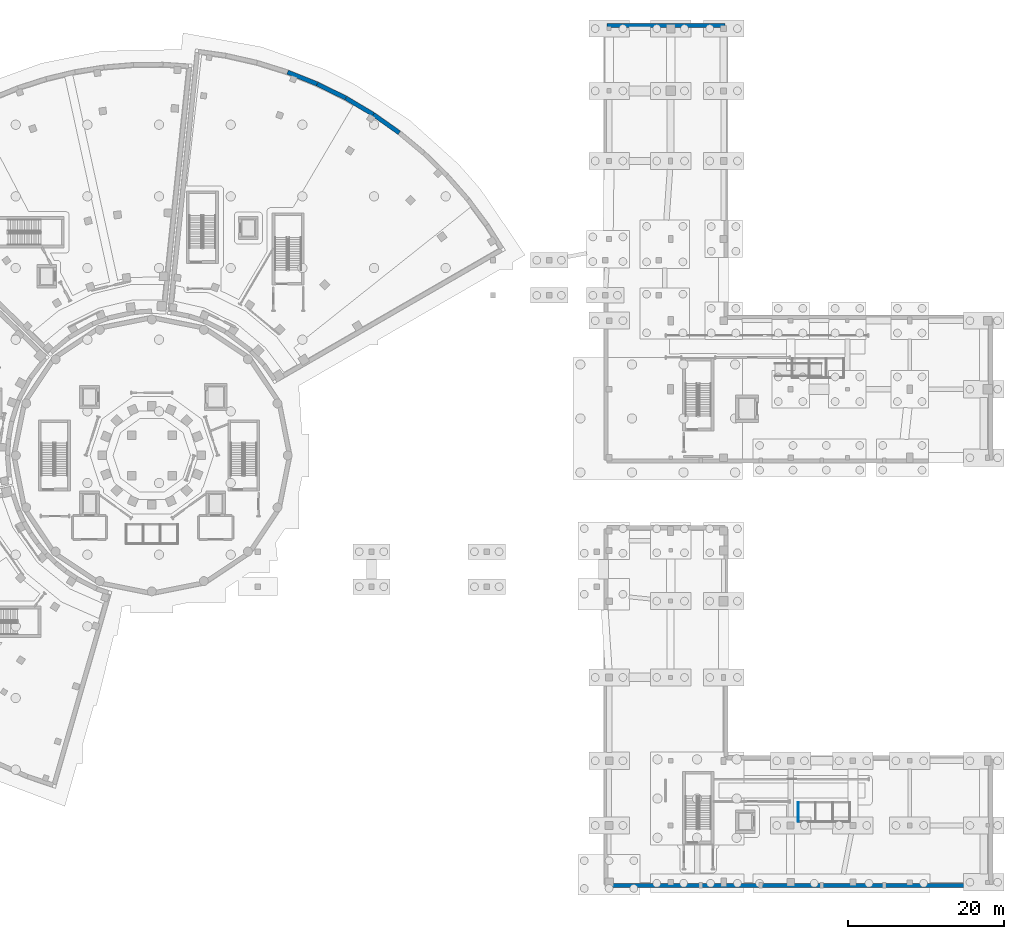
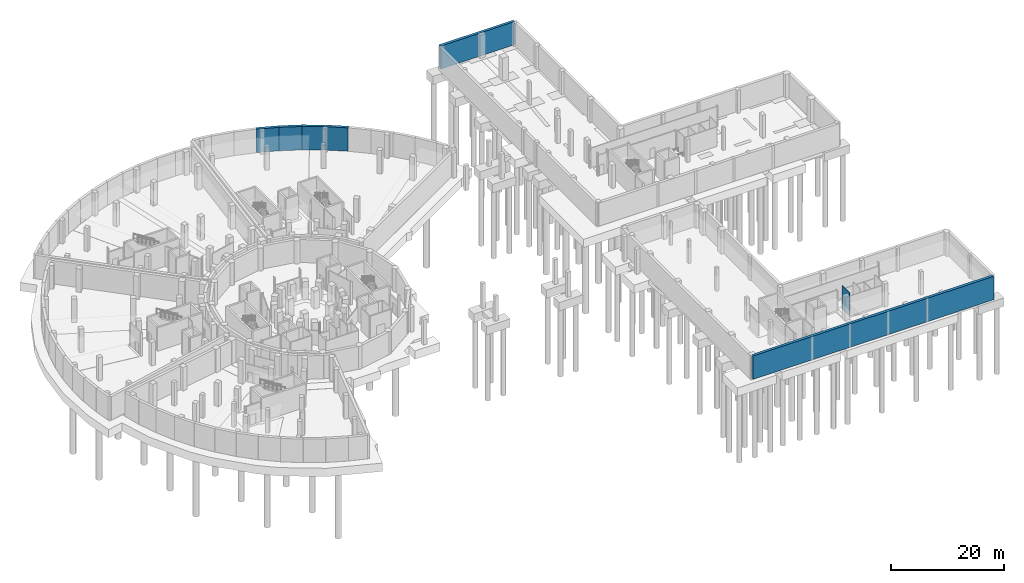
# One storey, part 17 of 33: 7 walls.
"""IFC4 building model written with IfcOpenShell, lengths in metres."""

from ifc_helpers import new_model, si_unit, direction, frame, frame_2d, origin, place, context, subcontext, project, spatial, rectangle, extrude, material, layer, layer_set, type_object, element, save


model = new_model("IFC4")

# Units and contexts
model_context = context("Model", 3, precision=1e-05, world=origin(), true_north=direction((0.0, 1.0)))
body_context = subcontext(model_context, "Body", "Model", "MODEL_VIEW")
ifc_project = project(units=[si_unit("LENGTHUNIT", "METRE"), si_unit("AREAUNIT", "SQUARE_METRE"), si_unit("VOLUMEUNIT", "CUBIC_METRE"), si_unit("PLANEANGLEUNIT", "RADIAN"), si_unit("MASSUNIT", "GRAM", prefix="KILO")], contexts=[model_context])

# Site, building, storey
site_placement = place(None, origin())
site = spatial("IfcSite", under=ifc_project, at=site_placement, CompositionType="ELEMENT")
building_placement = place(site_placement, origin())
building = spatial("IfcBuilding", under=site, at=building_placement, Name="Soyqirgoq Riverine Aquarium", CompositionType="ELEMENT")
storey_placement = place(building_placement, frame((0.0, 0.0, -5.39990234375)))
storey = spatial("IfcBuildingStorey", under=building, at=storey_placement, Name="B01", CompositionType="ELEMENT", Elevation=-5.39990234375)

# Walls
ifc_material_1 = material(Name="Moisture-resistant cement-board wet-room partition", Category="gypsum")
ifc_layer_1 = layer(ifc_material_1, 0.125)
ifc_layer_set_1 = layer_set([ifc_layer_1], Name="Moisture-resistant cement-board wet-room partition")
wall_type_1 = type_object("IfcWallType", Name="PartitionWall_125_Wet", PredefinedType="PARTITIONING", material=ifc_layer_set_1)
wall_1_placement = place(storey_placement, frame((139.0, 9.949951171875, 0.0), z_axis=(0.0, 0.0, 1.0), x_axis=(0.0, 1.0, 0.0)))
element("IfcWall", 1, at=wall_1_placement, inside=storey, type_object=wall_type_1, Name="V6 B01 WC Suite West Wall", PredefinedType="PARTITIONING", context=body_context, shape_type="SweptSolid", body=[
    extrude(rectangle(XDim=2.5, YDim=0.125, at=frame_2d((1.25, 0.0))), origin(), (0.0, 0.0, 1.0), 5.0498046875),
])
ifc_material_2 = material(Name="Concrete C35/45", Category="concrete")
ifc_layer_2 = layer(ifc_material_2, 0.550048828125)
ifc_layer_set_2 = layer_set([ifc_layer_2], Name="Concrete C35/45")
wall_type_2 = type_object("IfcWallType", Name="RetainingWall_550_C35", PredefinedType="USERDEFINED", material=ifc_layer_set_2)
for number, where, z_axis, x_axis, name in (
    (2, (73.434814453125, 106.20166015625, 0.0), (0.0, 0.0, 1.0), (0.928814942572, -0.370543927834, 0.0), "V5 B01 Perimeter Retaining Wall 089"),
    (3, (77.2412109375, 104.681884765625, 0.0), (0.0, 0.0, 1.0), (0.896904383538, -0.442224520792, 0.0), "V5 B01 Perimeter Retaining Wall 090"),
    (4, (80.916748046875, 102.868408203125, 0.0), (0.0, 0.0, 1.0), (0.859420691875, -0.511269082165, 0.0), "V5 B01 Perimeter Retaining Wall 091"),
    (5, (84.438720703125, 100.772216796875, 0.0), (0.0, 0.0, 1.0), (0.816652434213, -0.577129796227, 0.0), "V5 B01 Perimeter Retaining Wall 092"),
):
    element("IfcWall", number, at=place(storey_placement, frame(where, z_axis=z_axis, x_axis=x_axis)), inside=storey, type_object=wall_type_2, Name=name, ObjectType="RETAININGWALL", PredefinedType="USERDEFINED", context=body_context, shape_type="SweptSolid", body=[
        extrude(rectangle(XDim=4.0771484375, YDim=0.550048828125, at=frame_2d((2.03857421875, 0.0))), origin(), (0.0, 0.0, 1.0), 5.0498046875),
    ])
wall_2_placement = place(storey_placement, frame((163.5625, 1.800048828125, 0.0), z_axis=(0.0, 0.0, 1.0), x_axis=(-1.0, 0.0, 0.0)))
element("IfcWall", 6, at=wall_2_placement, inside=storey, type_object=wall_type_2, Name="V6 B01 Perimeter Retaining Wall 105", ObjectType="RETAININGWALL", PredefinedType="USERDEFINED", context=body_context, shape_type="SweptSolid", body=[
    extrude(rectangle(XDim=49.125, YDim=0.550048828125, at=frame_2d((24.5625, 0.0))), origin(), (0.0, 0.0, 1.0), 5.0498046875),
])
wall_3_placement = place(storey_placement, frame((114.4375, 112.199951171875, 0.0), z_axis=(0.0, 0.0, 1.0), x_axis=(1.0, 0.0, 0.0)))
element("IfcWall", 7, at=wall_3_placement, inside=storey, type_object=wall_type_2, Name="V7 B01 Perimeter Retaining Wall 107", ObjectType="RETAININGWALL", PredefinedType="USERDEFINED", context=body_context, shape_type="SweptSolid", body=[
    extrude(rectangle(XDim=15.125, YDim=0.550048828125, at=frame_2d((7.5625, 0.0))), origin(), (0.0, 0.0, 1.0), 4.97998046875),
])

save(model, "model.ifc")
